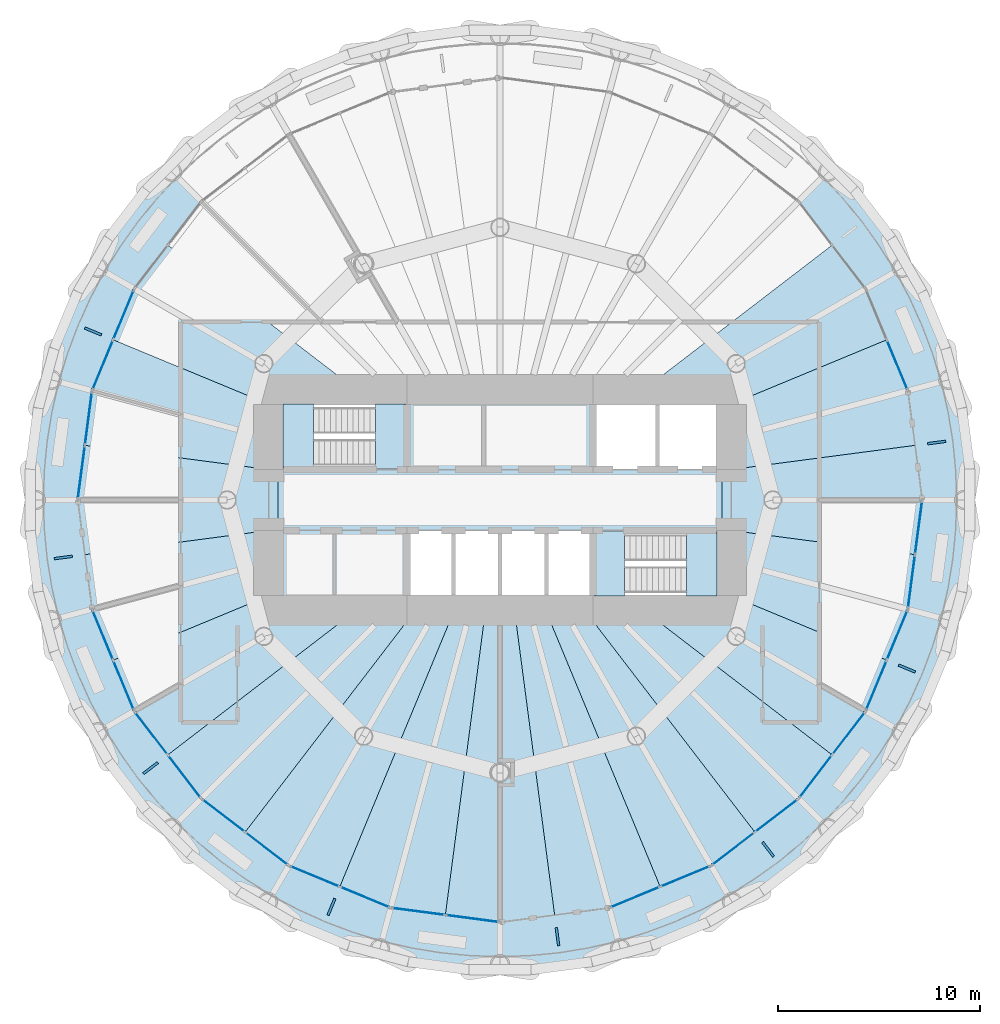
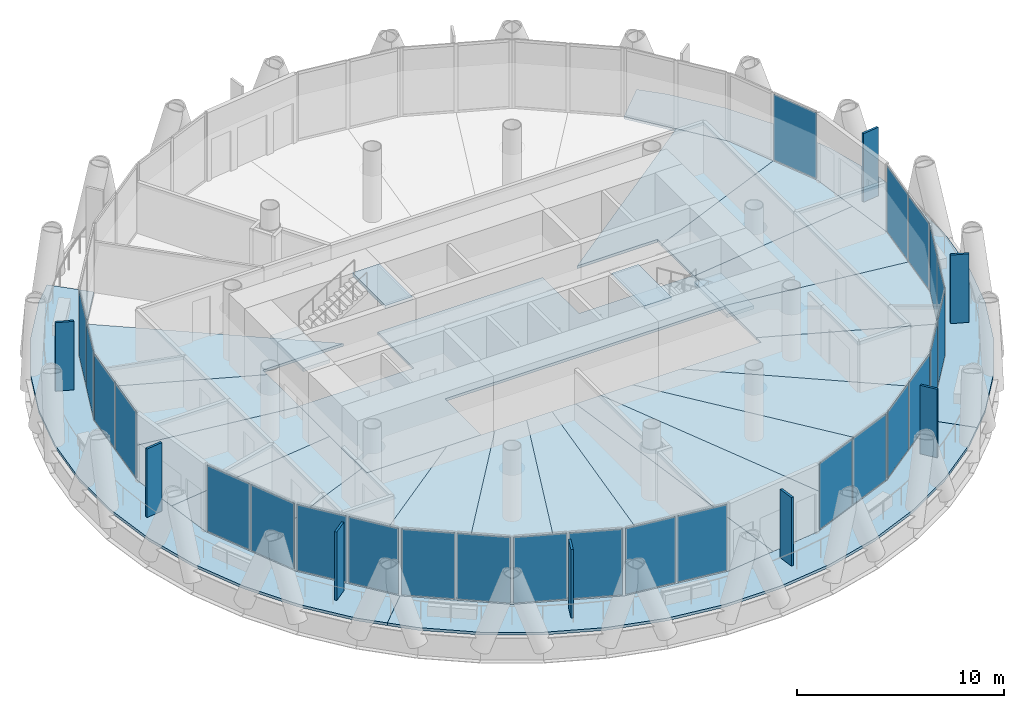
# One storey, part 8 of 14: 33 plates, 25 slabs, 15 elements without a shape of their own.
"""IFC4 building model written with IfcOpenShell, lengths in metres."""

from ifc_helpers import new_model, si_unit, direction, frame, origin, origin_2d, place, context, subcontext, project, spatial, polyline, rectangle, outline, extrude, material, layer, layer_set, type_object, element, aggregate, save


model = new_model("IFC4")

# Units and contexts
model_context = context("Model", 3, precision=1e-05, world=origin(), true_north=direction((0.0, 1.0)))
body_context = subcontext(model_context, "Body", "Model", "MODEL_VIEW")
ifc_project = project(units=[si_unit("LENGTHUNIT", "METRE"), si_unit("AREAUNIT", "SQUARE_METRE"), si_unit("VOLUMEUNIT", "CUBIC_METRE"), si_unit("PLANEANGLEUNIT", "RADIAN"), si_unit("MASSUNIT", "GRAM", prefix="KILO")], contexts=[model_context])

# Site, building, storey
site_placement = place(None, origin())
site = spatial("IfcSite", under=ifc_project, at=site_placement, CompositionType="ELEMENT")
building_placement = place(site_placement, origin())
building = spatial("IfcBuilding", under=site, at=building_placement, Name="Qaws Media Tower", CompositionType="ELEMENT")
storey_placement = place(building_placement, frame((0.0, 0.0, 206.60009765625)))
storey = spatial("IfcBuildingStorey", under=building, at=storey_placement, Name="L47", CompositionType="ELEMENT", Elevation=206.60009765625)

# Slabs
ifc_material_1 = material(Name="Concrete C35/45", Category="concrete")
ifc_layer_1 = layer(ifc_material_1, 0.159912109375)
ifc_layer_set_1 = layer_set([ifc_layer_1], Name="Composite balcony slab 160")
slab_type_1 = type_object("IfcSlabType", Name="Composite balcony slab 160", PredefinedType="FLOOR", material=ifc_layer_set_1)
slab_1_placement = place(storey_placement, frame((0.0, 0.0, -0.16015625)))
element("IfcSlab", 1, at=slab_1_placement, inside=storey, type_object=slab_type_1, Name="S2 balcony slab L47 R10 to R16, movement joints on R10 and R16", PredefinedType="FLOOR", context=body_context, shape_type="SweptSolid", body=[
    extrude(outline(polyline([(42.482177734375, 34.63720703125), (40.626708984375, 37.05517578125), (39.102783203125, 39.694580078125), (37.9365234375, 42.510498046875), (37.147705078125, 45.454345703125), (36.75, 48.47607421875), (36.75, 51.52392578125), (37.147705078125, 54.545654296875), (37.9365234375, 57.489501953125), (39.102783203125, 60.305419921875), (40.626708984375, 62.94482421875), (42.482177734375, 65.36279296875), (43.559814453125, 66.440185546875), (45.221435546875, 64.778564453125), (41.900146484375, 60.449951171875), (39.812255859375, 55.4091796875), (39.10009765625, 50.0), (39.812255859375, 44.5908203125), (41.900146484375, 39.550048828125), (45.221435546875, 35.221435546875), (43.559814453125, 33.559814453125), (42.482177734375, 34.63720703125)])), origin(), (0.0, 0.0, 1.0), 0.16015625),
])
slab_2_placement = place(storey_placement, frame((0.0, 0.0, -0.16015625)))
element("IfcSlab", 2, at=slab_2_placement, inside=storey, type_object=slab_type_1, Name="S2 balcony slab L47 R16 to R22, movement joints on R16 and R22", PredefinedType="FLOOR", context=body_context, shape_type="SweptSolid", body=[
    extrude(outline(polyline([(75.36279296875, 32.482177734375), (72.94482421875, 30.626708984375), (70.305419921875, 29.102783203125), (67.489501953125, 27.9365234375), (64.545654296875, 27.147705078125), (61.52392578125, 26.75), (58.47607421875, 26.75), (55.454345703125, 27.147705078125), (52.510498046875, 27.9365234375), (49.694580078125, 29.102783203125), (47.05517578125, 30.626708984375), (44.63720703125, 32.482177734375), (43.559814453125, 33.559814453125), (45.221435546875, 35.221435546875), (49.550048828125, 31.900146484375), (54.5908203125, 29.81201171875), (60.0, 29.10009765625), (65.4091796875, 29.81201171875), (70.449951171875, 31.900146484375), (74.778564453125, 35.221435546875), (76.440185546875, 33.559814453125), (75.36279296875, 32.482177734375)])), origin(), (0.0, 0.0, 1.0), 0.16015625),
])
slab_3_placement = place(storey_placement, frame((0.0, 0.0, -0.16015625)))
element("IfcSlab", 3, at=slab_3_placement, inside=storey, type_object=slab_type_1, Name="S2 balcony slab L47 R22 to R04, movement joints on R22 and R04", PredefinedType="FLOOR", context=body_context, shape_type="SweptSolid", body=[
    extrude(outline(polyline([(82.852294921875, 45.454345703125), (82.0634765625, 42.510498046875), (80.897216796875, 39.694580078125), (79.373291015625, 37.05517578125), (77.517822265625, 34.63720703125), (76.440185546875, 33.559814453125), (74.778564453125, 35.221435546875), (78.099853515625, 39.550048828125), (80.187744140625, 44.5908203125), (80.89990234375, 50.0), (80.187744140625, 55.4091796875), (78.099853515625, 60.449951171875), (74.778564453125, 64.778564453125), (76.440185546875, 66.440185546875), (77.517822265625, 65.36279296875), (79.373291015625, 62.94482421875), (80.897216796875, 60.305419921875), (82.0634765625, 57.489501953125), (82.852294921875, 54.545654296875), (83.25, 51.52392578125), (83.25, 48.47607421875), (82.852294921875, 45.454345703125)])), origin(), (0.0, 0.0, 1.0), 0.16015625),
])
ifc_material_2 = material(Name="Concrete C35/45", Category="concrete")
ifc_layer_2 = layer(ifc_material_2, 0.159912109375)
ifc_layer_set_2 = layer_set([ifc_layer_2], Name="Composite floor slab 160")
slab_type_2 = type_object("IfcSlabType", Name="Composite floor slab 160", PredefinedType="FLOOR", material=ifc_layer_set_2)
slab_4_placement = place(storey_placement, frame((0.0, 0.0, -0.16015625)))
element("IfcSlab", 4, at=slab_4_placement, inside=storey, type_object=slab_type_2, Name="S1 core floor slab L47", PredefinedType="FLOOR", context=body_context, shape_type="SweptSolid", body=[
    extrude(outline(polyline([(71.0, 51.5), (71.0, 48.5), (55.39990234375, 48.5), (55.39990234375, 45.0), (49.0, 45.0), (49.0, 51.5), (55.39990234375, 51.5), (55.39990234375, 55.0), (64.60009765625, 55.0), (64.60009765625, 51.5), (71.0, 51.5)])), origin(), (0.0, 0.0, 1.0), 0.16015625),
])
slab_5_placement = place(storey_placement, frame((0.0, 0.0, -0.16015625)))
element("IfcSlab", 5, at=slab_5_placement, inside=storey, type_object=slab_type_2, Name="S1 floor panel L47 on R01", PredefinedType="FLOOR", context=body_context, shape_type="SweptSolid", body=[
    extrude(outline(polyline([(80.89990234375, 50.0), (80.5439453125, 47.29541015625), (71.0, 48.5517578125), (71.0, 51.4482421875), (80.5439453125, 52.70458984375), (80.89990234375, 50.0)])), origin(), (0.0, 0.0, 1.0), 0.16015625),
])
slab_6_placement = place(storey_placement, frame((0.0, 0.0, -0.16015625)))
element("IfcSlab", 6, at=slab_6_placement, inside=storey, type_object=slab_type_2, Name="S1 floor panel L47 on R02", PredefinedType="FLOOR", context=body_context, shape_type="SweptSolid", body=[
    extrude(outline(polyline([(80.187744140625, 55.4091796875), (80.5439453125, 52.70458984375), (71.0, 51.4482421875), (71.0, 54.556396484375), (79.143798828125, 57.9296875), (80.187744140625, 55.4091796875)])), origin(), (0.0, 0.0, 1.0), 0.16015625),
])
slab_7_placement = place(storey_placement, frame((0.0, 0.0, -0.16015625)))
element("IfcSlab", 7, at=slab_7_placement, inside=storey, type_object=slab_type_2, Name="S1 floor panel L47 on R03", PredefinedType="FLOOR", context=body_context, shape_type="SweptSolid", body=[
    extrude(outline(polyline([(78.099853515625, 60.449951171875), (79.143798828125, 57.9296875), (71.0, 54.556396484375), (71.0, 55.0), (66.51611328125, 55.0), (76.439208984375, 62.6142578125), (78.099853515625, 60.449951171875)])), origin(), (0.0, 0.0, 1.0), 0.16015625),
])
slab_8_placement = place(storey_placement, frame((0.0, 0.0, -0.16015625)))
element("IfcSlab", 8, at=slab_8_placement, inside=storey, type_object=slab_type_2, Name="S1 floor panel L47 on R11", PredefinedType="FLOOR", context=body_context, shape_type="SweptSolid", body=[
    extrude(outline(polyline([(41.900146484375, 60.449951171875), (43.560791015625, 62.6142578125), (53.48388671875, 55.0), (49.0, 55.0), (49.0, 54.556396484375), (40.856201171875, 57.9296875), (41.900146484375, 60.449951171875)])), origin(), (0.0, 0.0, 1.0), 0.16015625),
])
slab_9_placement = place(storey_placement, frame((0.0, 0.0, -0.16015625)))
element("IfcSlab", 9, at=slab_9_placement, inside=storey, type_object=slab_type_2, Name="S1 floor panel L47 on R12", PredefinedType="FLOOR", context=body_context, shape_type="SweptSolid", body=[
    extrude(outline(polyline([(39.812255859375, 55.4091796875), (40.856201171875, 57.9296875), (49.0, 54.556396484375), (49.0, 51.4482421875), (39.4560546875, 52.70458984375), (39.812255859375, 55.4091796875)])), origin(), (0.0, 0.0, 1.0), 0.16015625),
])
slab_10_placement = place(storey_placement, frame((0.0, 0.0, -0.16015625)))
element("IfcSlab", 10, at=slab_10_placement, inside=storey, type_object=slab_type_2, Name="S1 floor panel L47 on R13", PredefinedType="FLOOR", context=body_context, shape_type="SweptSolid", body=[
    extrude(outline(polyline([(39.10009765625, 50.0), (39.4560546875, 52.70458984375), (49.0, 51.4482421875), (49.0, 48.5517578125), (39.4560546875, 47.29541015625), (39.10009765625, 50.0)])), origin(), (0.0, 0.0, 1.0), 0.16015625),
])
slab_11_placement = place(storey_placement, frame((0.0, 0.0, -0.16015625)))
element("IfcSlab", 11, at=slab_11_placement, inside=storey, type_object=slab_type_2, Name="S1 floor panel L47 on R14", PredefinedType="FLOOR", context=body_context, shape_type="SweptSolid", body=[
    extrude(outline(polyline([(39.812255859375, 44.5908203125), (39.4560546875, 47.29541015625), (49.0, 48.5517578125), (49.0, 45.443603515625), (40.856201171875, 42.0703125), (39.812255859375, 44.5908203125)])), origin(), (0.0, 0.0, 1.0), 0.16015625),
])
slab_12_placement = place(storey_placement, frame((0.0, 0.0, -0.16015625)))
element("IfcSlab", 12, at=slab_12_placement, inside=storey, type_object=slab_type_2, Name="S1 floor panel L47 on R15", PredefinedType="FLOOR", context=body_context, shape_type="SweptSolid", body=[
    extrude(outline(polyline([(41.900146484375, 39.550048828125), (40.856201171875, 42.0703125), (49.0, 45.443603515625), (49.0, 45.0), (53.48388671875, 45.0), (43.560791015625, 37.3857421875), (41.900146484375, 39.550048828125)])), origin(), (0.0, 0.0, 1.0), 0.16015625),
])
slab_13_placement = place(storey_placement, frame((0.0, 0.0, -0.16015625)))
element("IfcSlab", 13, at=slab_13_placement, inside=storey, type_object=slab_type_2, Name="S1 floor panel L47 on R16", PredefinedType="FLOOR", context=body_context, shape_type="SweptSolid", body=[
    extrude(outline(polyline([(45.221435546875, 35.221435546875), (43.560791015625, 37.3857421875), (53.48388671875, 45.0), (56.163330078125, 45.0), (47.3857421875, 33.560791015625), (45.221435546875, 35.221435546875)])), origin(), (0.0, 0.0, 1.0), 0.16015625),
])
slab_14_placement = place(storey_placement, frame((0.0, 0.0, -0.16015625)))
element("IfcSlab", 14, at=slab_14_placement, inside=storey, type_object=slab_type_2, Name="S1 floor panel L47 on R17", PredefinedType="FLOOR", context=body_context, shape_type="SweptSolid", body=[
    extrude(outline(polyline([(49.550048828125, 31.900146484375), (47.3857421875, 33.560791015625), (56.163330078125, 45.0), (57.928955078125, 45.0), (52.0703125, 30.856201171875), (49.550048828125, 31.900146484375)])), origin(), (0.0, 0.0, 1.0), 0.16015625),
])
slab_15_placement = place(storey_placement, frame((0.0, 0.0, -0.16015625)))
element("IfcSlab", 15, at=slab_15_placement, inside=storey, type_object=slab_type_2, Name="S1 floor panel L47 on R18", PredefinedType="FLOOR", context=body_context, shape_type="SweptSolid", body=[
    extrude(outline(polyline([(54.5908203125, 29.81201171875), (52.0703125, 30.856201171875), (57.928955078125, 45.0), (59.341796875, 45.0), (57.29541015625, 29.4560546875), (54.5908203125, 29.81201171875)])), origin(), (0.0, 0.0, 1.0), 0.16015625),
])
slab_16_placement = place(storey_placement, frame((0.0, 0.0, -0.16015625)))
element("IfcSlab", 16, at=slab_16_placement, inside=storey, type_object=slab_type_2, Name="S1 floor panel L47 on R19", PredefinedType="FLOOR", context=body_context, shape_type="SweptSolid", body=[
    extrude(outline(polyline([(60.0, 29.10009765625), (57.29541015625, 29.4560546875), (59.341796875, 45.0), (60.658203125, 45.0), (62.70458984375, 29.4560546875), (60.0, 29.10009765625)])), origin(), (0.0, 0.0, 1.0), 0.16015625),
])
slab_17_placement = place(storey_placement, frame((0.0, 0.0, -0.16015625)))
element("IfcSlab", 17, at=slab_17_placement, inside=storey, type_object=slab_type_2, Name="S1 floor panel L47 on R20", PredefinedType="FLOOR", context=body_context, shape_type="SweptSolid", body=[
    extrude(outline(polyline([(65.4091796875, 29.81201171875), (62.70458984375, 29.4560546875), (60.658203125, 45.0), (62.071044921875, 45.0), (67.9296875, 30.856201171875), (65.4091796875, 29.81201171875)])), origin(), (0.0, 0.0, 1.0), 0.16015625),
])
slab_18_placement = place(storey_placement, frame((0.0, 0.0, -0.16015625)))
element("IfcSlab", 18, at=slab_18_placement, inside=storey, type_object=slab_type_2, Name="S1 floor panel L47 on R21", PredefinedType="FLOOR", context=body_context, shape_type="SweptSolid", body=[
    extrude(outline(polyline([(70.449951171875, 31.900146484375), (67.9296875, 30.856201171875), (62.071044921875, 45.0), (63.836669921875, 45.0), (72.6142578125, 33.560791015625), (70.449951171875, 31.900146484375)])), origin(), (0.0, 0.0, 1.0), 0.16015625),
])
slab_19_placement = place(storey_placement, frame((0.0, 0.0, -0.16015625)))
element("IfcSlab", 19, at=slab_19_placement, inside=storey, type_object=slab_type_2, Name="S1 floor panel L47 on R22", PredefinedType="FLOOR", context=body_context, shape_type="SweptSolid", body=[
    extrude(outline(polyline([(74.778564453125, 35.221435546875), (72.6142578125, 33.560791015625), (63.836669921875, 45.0), (66.51611328125, 45.0), (76.439208984375, 37.3857421875), (74.778564453125, 35.221435546875)])), origin(), (0.0, 0.0, 1.0), 0.16015625),
])
slab_20_placement = place(storey_placement, frame((0.0, 0.0, -0.16015625)))
element("IfcSlab", 20, at=slab_20_placement, inside=storey, type_object=slab_type_2, Name="S1 floor panel L47 on R23", PredefinedType="FLOOR", context=body_context, shape_type="SweptSolid", body=[
    extrude(outline(polyline([(78.099853515625, 39.550048828125), (76.439208984375, 37.3857421875), (66.51611328125, 45.0), (71.0, 45.0), (71.0, 45.443603515625), (79.143798828125, 42.0703125), (78.099853515625, 39.550048828125)])), origin(), (0.0, 0.0, 1.0), 0.16015625),
])
slab_21_placement = place(storey_placement, frame((0.0, 0.0, -0.16015625)))
element("IfcSlab", 21, at=slab_21_placement, inside=storey, type_object=slab_type_2, Name="S1 floor panel L47 on R24", PredefinedType="FLOOR", context=body_context, shape_type="SweptSolid", body=[
    extrude(outline(polyline([(79.143798828125, 42.0703125), (71.0, 45.443603515625), (71.0, 48.5517578125), (80.5439453125, 47.29541015625), (80.187744140625, 44.5908203125), (79.143798828125, 42.0703125)])), origin(), (0.0, 0.0, 1.0), 0.16015625),
])

# Curtain wall, plate
ifc_material_3 = material(Name="Aluminium and clear glass", Category="aluminium")
curtain_wall_type = type_object("IfcCurtainWallType", Name="Unitised curtain wall CW-C", PredefinedType="NOTDEFINED", material=ifc_material_3)
curtain_wall_1_placement = place(storey_placement, origin())
curtain_wall_1 = element("IfcCurtainWall", 22, at=curtain_wall_1_placement, inside=storey, type_object=curtain_wall_type, Name="CWC curtain wall L47-02", PredefinedType="NOTDEFINED")
ifc_material_4 = material(Name="Clear laminated double glazing", Category="glass")
ifc_layer_3 = layer(ifc_material_4, 0.031982421875)
ifc_layer_set_3 = layer_set([ifc_layer_3], Name="Curtain wall glass unit 32")
plate_type_1 = type_object("IfcPlateType", Name="Curtain wall glass unit 32", PredefinedType="CURTAIN_PANEL", material=ifc_layer_set_3)
plate_1_placement = place(storey_placement, frame((79.658203125, 56.68798828125, 0.080078125), z_axis=(0.0, 0.0, 1.0), x_axis=(-0.382683456149, 0.92387952266, 0.0)))
plate_1 = element("IfcPlate", 23, at=plate_1_placement, type_object=plate_type_1, Name="CWC panel 1.1", PredefinedType="CURTAIN_PANEL", context=body_context, shape_type="SweptSolid", body=[
    extrude(rectangle(XDim=2.60791015625, YDim=0.031982421875, at=origin_2d()), origin(), (0.0, 0.0, 1.0), 3.8798828125),
])
aggregate(curtain_wall_1, [plate_1])

# Curtain wall, plates
curtain_wall_2_placement = place(storey_placement, origin())
curtain_wall_2 = element("IfcCurtainWall", 24, at=curtain_wall_2_placement, inside=storey, type_object=curtain_wall_type, Name="CWC curtain wall L47-11", PredefinedType="NOTDEFINED")
plate_2_placement = place(storey_placement, frame((41.370361328125, 59.17138671875, 0.080078125), z_axis=(0.0, 0.0, 1.0), x_axis=(-0.382683456149, -0.92387952266, 0.0)))
plate_2 = element("IfcPlate", 25, at=plate_2_placement, type_object=plate_type_1, Name="CWC panel 1.1", PredefinedType="CURTAIN_PANEL", context=body_context, shape_type="SweptSolid", body=[
    extrude(rectangle(XDim=2.60791015625, YDim=0.031982421875, at=origin_2d()), origin(), (0.0, 0.0, 1.0), 3.8798828125),
])
plate_3_placement = place(storey_placement, frame((40.341796875, 56.68798828125, 0.080078125), z_axis=(0.0, 0.0, 1.0), x_axis=(-0.382683456149, -0.92387952266, 0.0)))
plate_3 = element("IfcPlate", 26, at=plate_3_placement, type_object=plate_type_1, Name="CWC panel 2.1", PredefinedType="CURTAIN_PANEL", context=body_context, shape_type="SweptSolid", body=[
    extrude(rectangle(XDim=2.60791015625, YDim=0.031982421875, at=origin_2d()), origin(), (0.0, 0.0, 1.0), 3.8798828125),
])
aggregate(curtain_wall_2, [plate_2, plate_3])

curtain_wall_3_placement = place(storey_placement, origin())
curtain_wall_3 = element("IfcCurtainWall", 27, at=curtain_wall_3_placement, inside=storey, type_object=curtain_wall_type, Name="CWC curtain wall L47-12", PredefinedType="NOTDEFINED")
plate_4_placement = place(storey_placement, frame((39.631591796875, 54.037109375, 0.080078125), z_axis=(0.0, 0.0, 1.0), x_axis=(-0.130526151694, -0.991444866709, 0.0)))
plate_4 = element("IfcPlate", 28, at=plate_4_placement, type_object=plate_type_1, Name="CWC panel 1.1", PredefinedType="CURTAIN_PANEL", context=body_context, shape_type="SweptSolid", body=[
    extrude(rectangle(XDim=2.60791015625, YDim=0.031982421875, at=origin_2d()), origin(), (0.0, 0.0, 1.0), 3.8798828125),
])
plate_5_placement = place(storey_placement, frame((39.28076171875, 51.3720703125, 0.080078125), z_axis=(0.0, 0.0, 1.0), x_axis=(-0.130526151694, -0.991444866709, 0.0)))
plate_5 = element("IfcPlate", 29, at=plate_5_placement, type_object=plate_type_1, Name="CWC panel 2.1", PredefinedType="CURTAIN_PANEL", context=body_context, shape_type="SweptSolid", body=[
    extrude(rectangle(XDim=2.60791015625, YDim=0.031982421875, at=origin_2d()), origin(), (0.0, 0.0, 1.0), 3.8798828125),
])
aggregate(curtain_wall_3, [plate_4, plate_5])

curtain_wall_4_placement = place(storey_placement, origin())
curtain_wall_4 = element("IfcCurtainWall", 30, at=curtain_wall_4_placement, inside=storey, type_object=curtain_wall_type, Name="CWC curtain wall L47-14", PredefinedType="NOTDEFINED")
plate_6_placement = place(storey_placement, frame((40.341796875, 43.31201171875, 0.080078125), z_axis=(0.0, 0.0, 1.0), x_axis=(0.382683456149, -0.92387952266, 0.0)))
plate_6 = element("IfcPlate", 31, at=plate_6_placement, type_object=plate_type_1, Name="CWC panel 1.1", PredefinedType="CURTAIN_PANEL", context=body_context, shape_type="SweptSolid", body=[
    extrude(rectangle(XDim=2.60791015625, YDim=0.031982421875, at=origin_2d()), origin(), (0.0, 0.0, 1.0), 3.8798828125),
])
plate_7_placement = place(storey_placement, frame((41.370361328125, 40.82861328125, 0.080078125), z_axis=(0.0, 0.0, 1.0), x_axis=(0.382683456149, -0.92387952266, 0.0)))
plate_7 = element("IfcPlate", 32, at=plate_7_placement, type_object=plate_type_1, Name="CWC panel 2.1", PredefinedType="CURTAIN_PANEL", context=body_context, shape_type="SweptSolid", body=[
    extrude(rectangle(XDim=2.60791015625, YDim=0.031982421875, at=origin_2d()), origin(), (0.0, 0.0, 1.0), 3.8798828125),
])
aggregate(curtain_wall_4, [plate_6, plate_7])

curtain_wall_5_placement = place(storey_placement, origin())
curtain_wall_5 = element("IfcCurtainWall", 33, at=curtain_wall_5_placement, inside=storey, type_object=curtain_wall_type, Name="CWC curtain wall L47-15", PredefinedType="NOTDEFINED")
plate_8_placement = place(storey_placement, frame((42.74267578125, 38.451904296875, 0.080078125), z_axis=(0.0, 0.0, 1.0), x_axis=(0.608761380338, -0.793353377638, 0.0)))
plate_8 = element("IfcPlate", 34, at=plate_8_placement, type_object=plate_type_1, Name="CWC panel 1.1", PredefinedType="CURTAIN_PANEL", context=body_context, shape_type="SweptSolid", body=[
    extrude(rectangle(XDim=2.60791015625, YDim=0.031982421875, at=origin_2d()), origin(), (0.0, 0.0, 1.0), 3.8798828125),
])
plate_9_placement = place(storey_placement, frame((44.37890625, 36.319580078125, 0.080078125), z_axis=(0.0, 0.0, 1.0), x_axis=(0.608761380338, -0.793353377638, 0.0)))
plate_9 = element("IfcPlate", 35, at=plate_9_placement, type_object=plate_type_1, Name="CWC panel 2.1", PredefinedType="CURTAIN_PANEL", context=body_context, shape_type="SweptSolid", body=[
    extrude(rectangle(XDim=2.60791015625, YDim=0.031982421875, at=origin_2d()), origin(), (0.0, 0.0, 1.0), 3.8798828125),
])
aggregate(curtain_wall_5, [plate_8, plate_9])

curtain_wall_6_placement = place(storey_placement, origin())
curtain_wall_6 = element("IfcCurtainWall", 36, at=curtain_wall_6_placement, inside=storey, type_object=curtain_wall_type, Name="CWC curtain wall L47-16", PredefinedType="NOTDEFINED")
plate_10_placement = place(storey_placement, frame((46.319580078125, 34.37890625, 0.080078125), z_axis=(0.0, 0.0, 1.0), x_axis=(0.793353377638, -0.608761380338, 0.0)))
plate_10 = element("IfcPlate", 37, at=plate_10_placement, type_object=plate_type_1, Name="CWC panel 1.1", PredefinedType="CURTAIN_PANEL", context=body_context, shape_type="SweptSolid", body=[
    extrude(rectangle(XDim=2.60791015625, YDim=0.031982421875, at=origin_2d()), origin(), (0.0, 0.0, 1.0), 3.8798828125),
])
plate_11_placement = place(storey_placement, frame((48.451904296875, 32.74267578125, 0.080078125), z_axis=(0.0, 0.0, 1.0), x_axis=(0.793353377638, -0.608761380338, 0.0)))
plate_11 = element("IfcPlate", 38, at=plate_11_placement, type_object=plate_type_1, Name="CWC panel 2.1", PredefinedType="CURTAIN_PANEL", context=body_context, shape_type="SweptSolid", body=[
    extrude(rectangle(XDim=2.60791015625, YDim=0.031982421875, at=origin_2d()), origin(), (0.0, 0.0, 1.0), 3.8798828125),
])
aggregate(curtain_wall_6, [plate_10, plate_11])

curtain_wall_7_placement = place(storey_placement, origin())
curtain_wall_7 = element("IfcCurtainWall", 39, at=curtain_wall_7_placement, inside=storey, type_object=curtain_wall_type, Name="CWC curtain wall L47-17", PredefinedType="NOTDEFINED")
plate_12_placement = place(storey_placement, frame((50.82861328125, 31.370361328125, 0.080078125), z_axis=(0.0, 0.0, 1.0), x_axis=(0.92387952266, -0.382683456149, 0.0)))
plate_12 = element("IfcPlate", 40, at=plate_12_placement, type_object=plate_type_1, Name="CWC panel 1.1", PredefinedType="CURTAIN_PANEL", context=body_context, shape_type="SweptSolid", body=[
    extrude(rectangle(XDim=2.60791015625, YDim=0.031982421875, at=origin_2d()), origin(), (0.0, 0.0, 1.0), 3.8798828125),
])
plate_13_placement = place(storey_placement, frame((53.31201171875, 30.341796875, 0.080078125), z_axis=(0.0, 0.0, 1.0), x_axis=(0.92387952266, -0.382683456149, 0.0)))
plate_13 = element("IfcPlate", 41, at=plate_13_placement, type_object=plate_type_1, Name="CWC panel 2.1", PredefinedType="CURTAIN_PANEL", context=body_context, shape_type="SweptSolid", body=[
    extrude(rectangle(XDim=2.60791015625, YDim=0.031982421875, at=origin_2d()), origin(), (0.0, 0.0, 1.0), 3.8798828125),
])
aggregate(curtain_wall_7, [plate_12, plate_13])

curtain_wall_8_placement = place(storey_placement, origin())
curtain_wall_8 = element("IfcCurtainWall", 42, at=curtain_wall_8_placement, inside=storey, type_object=curtain_wall_type, Name="CWC curtain wall L47-18", PredefinedType="NOTDEFINED")
plate_14_placement = place(storey_placement, frame((55.962890625, 29.631591796875, 0.080078125), z_axis=(0.0, 0.0, 1.0), x_axis=(0.991444866709, -0.130526151694, 0.0)))
plate_14 = element("IfcPlate", 43, at=plate_14_placement, type_object=plate_type_1, Name="CWC panel 1.1", PredefinedType="CURTAIN_PANEL", context=body_context, shape_type="SweptSolid", body=[
    extrude(rectangle(XDim=2.60791015625, YDim=0.031982421875, at=origin_2d()), origin(), (0.0, 0.0, 1.0), 3.8798828125),
])
plate_15_placement = place(storey_placement, frame((58.6279296875, 29.28076171875, 0.080078125), z_axis=(0.0, 0.0, 1.0), x_axis=(0.991444866709, -0.130526151694, 0.0)))
plate_15 = element("IfcPlate", 44, at=plate_15_placement, type_object=plate_type_1, Name="CWC panel 2.1", PredefinedType="CURTAIN_PANEL", context=body_context, shape_type="SweptSolid", body=[
    extrude(rectangle(XDim=2.60791015625, YDim=0.031982421875, at=origin_2d()), origin(), (0.0, 0.0, 1.0), 3.8798828125),
])
aggregate(curtain_wall_8, [plate_14, plate_15])

curtain_wall_9_placement = place(storey_placement, origin())
curtain_wall_9 = element("IfcCurtainWall", 45, at=curtain_wall_9_placement, inside=storey, type_object=curtain_wall_type, Name="CWC curtain wall L47-20", PredefinedType="NOTDEFINED")
plate_16_placement = place(storey_placement, frame((66.68798828125, 30.341796875, 0.080078125), z_axis=(0.0, 0.0, 1.0), x_axis=(0.92387952266, 0.382683456149, 0.0)))
plate_16 = element("IfcPlate", 46, at=plate_16_placement, type_object=plate_type_1, Name="CWC panel 1.1", PredefinedType="CURTAIN_PANEL", context=body_context, shape_type="SweptSolid", body=[
    extrude(rectangle(XDim=2.60791015625, YDim=0.031982421875, at=origin_2d()), origin(), (0.0, 0.0, 1.0), 3.8798828125),
])
plate_17_placement = place(storey_placement, frame((69.17138671875, 31.370361328125, 0.080078125), z_axis=(0.0, 0.0, 1.0), x_axis=(0.92387952266, 0.382683456149, 0.0)))
plate_17 = element("IfcPlate", 47, at=plate_17_placement, type_object=plate_type_1, Name="CWC panel 2.1", PredefinedType="CURTAIN_PANEL", context=body_context, shape_type="SweptSolid", body=[
    extrude(rectangle(XDim=2.60791015625, YDim=0.031982421875, at=origin_2d()), origin(), (0.0, 0.0, 1.0), 3.8798828125),
])
aggregate(curtain_wall_9, [plate_16, plate_17])

curtain_wall_10_placement = place(storey_placement, origin())
curtain_wall_10 = element("IfcCurtainWall", 48, at=curtain_wall_10_placement, inside=storey, type_object=curtain_wall_type, Name="CWC curtain wall L47-21", PredefinedType="NOTDEFINED")
plate_18_placement = place(storey_placement, frame((71.548095703125, 32.74267578125, 0.080078125), z_axis=(0.0, 0.0, 1.0), x_axis=(0.793353377638, 0.608761380338, 0.0)))
plate_18 = element("IfcPlate", 49, at=plate_18_placement, type_object=plate_type_1, Name="CWC panel 1.1", PredefinedType="CURTAIN_PANEL", context=body_context, shape_type="SweptSolid", body=[
    extrude(rectangle(XDim=2.60791015625, YDim=0.031982421875, at=origin_2d()), origin(), (0.0, 0.0, 1.0), 3.8798828125),
])
plate_19_placement = place(storey_placement, frame((73.680419921875, 34.37890625, 0.080078125), z_axis=(0.0, 0.0, 1.0), x_axis=(0.793353377638, 0.608761380338, 0.0)))
plate_19 = element("IfcPlate", 50, at=plate_19_placement, type_object=plate_type_1, Name="CWC panel 2.1", PredefinedType="CURTAIN_PANEL", context=body_context, shape_type="SweptSolid", body=[
    extrude(rectangle(XDim=2.60791015625, YDim=0.031982421875, at=origin_2d()), origin(), (0.0, 0.0, 1.0), 3.8798828125),
])
aggregate(curtain_wall_10, [plate_18, plate_19])

curtain_wall_11_placement = place(storey_placement, origin())
curtain_wall_11 = element("IfcCurtainWall", 51, at=curtain_wall_11_placement, inside=storey, type_object=curtain_wall_type, Name="CWC curtain wall L47-22", PredefinedType="NOTDEFINED")
plate_20_placement = place(storey_placement, frame((75.62109375, 36.319580078125, 0.080078125), z_axis=(0.0, 0.0, 1.0), x_axis=(0.608761380338, 0.793353377638, 0.0)))
plate_20 = element("IfcPlate", 52, at=plate_20_placement, type_object=plate_type_1, Name="CWC panel 1.1", PredefinedType="CURTAIN_PANEL", context=body_context, shape_type="SweptSolid", body=[
    extrude(rectangle(XDim=2.60791015625, YDim=0.031982421875, at=origin_2d()), origin(), (0.0, 0.0, 1.0), 3.8798828125),
])
plate_21_placement = place(storey_placement, frame((77.25732421875, 38.451904296875, 0.080078125), z_axis=(0.0, 0.0, 1.0), x_axis=(0.608761380338, 0.793353377638, 0.0)))
plate_21 = element("IfcPlate", 53, at=plate_21_placement, type_object=plate_type_1, Name="CWC panel 2.1", PredefinedType="CURTAIN_PANEL", context=body_context, shape_type="SweptSolid", body=[
    extrude(rectangle(XDim=2.60791015625, YDim=0.031982421875, at=origin_2d()), origin(), (0.0, 0.0, 1.0), 3.8798828125),
])
aggregate(curtain_wall_11, [plate_20, plate_21])

curtain_wall_12_placement = place(storey_placement, origin())
curtain_wall_12 = element("IfcCurtainWall", 54, at=curtain_wall_12_placement, inside=storey, type_object=curtain_wall_type, Name="CWC curtain wall L47-23", PredefinedType="NOTDEFINED")
plate_22_placement = place(storey_placement, frame((78.629638671875, 40.82861328125, 0.080078125), z_axis=(0.0, 0.0, 1.0), x_axis=(0.382683456149, 0.92387952266, 0.0)))
plate_22 = element("IfcPlate", 55, at=plate_22_placement, type_object=plate_type_1, Name="CWC panel 1.1", PredefinedType="CURTAIN_PANEL", context=body_context, shape_type="SweptSolid", body=[
    extrude(rectangle(XDim=2.60791015625, YDim=0.031982421875, at=origin_2d()), origin(), (0.0, 0.0, 1.0), 3.8798828125),
])
plate_23_placement = place(storey_placement, frame((79.658203125, 43.31201171875, 0.080078125), z_axis=(0.0, 0.0, 1.0), x_axis=(0.382683456149, 0.92387952266, 0.0)))
plate_23 = element("IfcPlate", 56, at=plate_23_placement, type_object=plate_type_1, Name="CWC panel 2.1", PredefinedType="CURTAIN_PANEL", context=body_context, shape_type="SweptSolid", body=[
    extrude(rectangle(XDim=2.60791015625, YDim=0.031982421875, at=origin_2d()), origin(), (0.0, 0.0, 1.0), 3.8798828125),
])
aggregate(curtain_wall_12, [plate_22, plate_23])

curtain_wall_13_placement = place(storey_placement, origin())
curtain_wall_13 = element("IfcCurtainWall", 57, at=curtain_wall_13_placement, inside=storey, type_object=curtain_wall_type, Name="CWC curtain wall L47-24", PredefinedType="NOTDEFINED")
plate_24_placement = place(storey_placement, frame((80.368408203125, 45.962890625, 0.080078125), z_axis=(0.0, 0.0, 1.0), x_axis=(0.130526151694, 0.991444866709, 0.0)))
plate_24 = element("IfcPlate", 58, at=plate_24_placement, type_object=plate_type_1, Name="CWC panel 1.1", PredefinedType="CURTAIN_PANEL", context=body_context, shape_type="SweptSolid", body=[
    extrude(rectangle(XDim=2.60791015625, YDim=0.031982421875, at=origin_2d()), origin(), (0.0, 0.0, 1.0), 3.8798828125),
])
plate_25_placement = place(storey_placement, frame((80.71923828125, 48.6279296875, 0.080078125), z_axis=(0.0, 0.0, 1.0), x_axis=(0.130526151694, 0.991444866709, 0.0)))
plate_25 = element("IfcPlate", 59, at=plate_25_placement, type_object=plate_type_1, Name="CWC panel 2.1", PredefinedType="CURTAIN_PANEL", context=body_context, shape_type="SweptSolid", body=[
    extrude(rectangle(XDim=2.60791015625, YDim=0.031982421875, at=origin_2d()), origin(), (0.0, 0.0, 1.0), 3.8798828125),
])
aggregate(curtain_wall_13, [plate_24, plate_25])

# Plates
ifc_material_5 = material(Name="Precast concrete screen fin", Category="concrete")
ifc_layer_4 = layer(ifc_material_5, 0.1201171875)
ifc_layer_set_4 = layer_set([ifc_layer_4], Name="Screen fin 120x900")
plate_type_2 = type_object("IfcPlateType", Name="Screen fin 120x900", PredefinedType="USERDEFINED", material=ifc_layer_set_4)
for number, where, z_axis, x_axis, name in (
    (60, (81.613525390625, 52.845458984375, 0.0), (0.0, 0.0, 1.0), (0.991444861374, 0.13052619222, 0.0), "SCR1 screen fin L47-01"),
    (61, (39.859375, 58.342529296875, 0.0), (0.0, 0.0, 1.0), (-0.923879532511, 0.382683432365, 0.0), "SCR1 screen fin L47-06"),
    (62, (38.386474609375, 47.154541015625, 0.0), (0.0, 0.0, 1.0), (-0.991444861374, -0.13052619222, 0.0), "SCR1 screen fin L47-07"),
    (63, (42.704833984375, 36.72900390625, 0.0), (0.0, 0.0, 1.0), (-0.793353340291, -0.608761429009, 0.0), "SCR1 screen fin L47-08"),
    (64, (51.657470703125, 29.859375, 0.0), (0.0, 0.0, 1.0), (-0.382683432365, -0.923879532511, 0.0), "SCR1 screen fin L47-09"),
    (65, (62.845458984375, 28.386474609375, 0.0), (0.0, 0.0, 1.0), (0.13052619222, -0.991444861374, 0.0), "SCR1 screen fin L47-10"),
    (66, (73.27099609375, 32.704833984375, 0.0), (0.0, 0.0, 1.0), (0.608761429009, -0.793353340291, 0.0), "SCR1 screen fin L47-11"),
    (67, (80.140625, 41.657470703125, 0.0), (0.0, 0.0, 1.0), (0.923879532511, -0.382683432365, 0.0), "SCR1 screen fin L47-12"),
):
    element("IfcPlate", number, at=place(storey_placement, frame(where, z_axis=z_axis, x_axis=x_axis)), inside=storey, type_object=plate_type_2, Name=name, ObjectType="SCREEN", PredefinedType="USERDEFINED", context=body_context, shape_type="SweptSolid", body=[
        extrude(rectangle(XDim=0.89990234375, YDim=0.1201171875, at=origin_2d()), origin(), (0.0, 0.0, 1.0), 4.0400390625),
    ])

# Stair, slabs
ifc_material_6 = material(Name="Concrete C40/50", Category="concrete")
stair_type = type_object("IfcStairType", Name="Exit stair", PredefinedType="HALF_TURN_STAIR", material=ifc_material_6)
stair_1_placement = place(storey_placement, origin())
stair_1 = element("IfcStair", 68, at=stair_1_placement, inside=storey, type_object=stair_type, Name="S1 exit stair L47", PredefinedType="HALF_TURN_STAIR")
ifc_material_7 = material(Name="Concrete C40/50", Category="concrete")
ifc_layer_5 = layer(ifc_material_7, 0.199951171875)
ifc_layer_set_5 = layer_set([ifc_layer_5], Name="Stair landing 200")
slab_type_3 = type_object("IfcSlabType", Name="Stair landing 200", PredefinedType="LANDING", material=ifc_layer_set_5)
slab_22_placement = place(storey_placement, frame((0.0, 0.0, 1.89990234375)))
slab_22 = element("IfcSlab", 69, at=slab_22_placement, type_object=slab_type_3, Name="S1 landing 1", PredefinedType="LANDING", context=body_context, shape_type="SweptSolid", body=[
    extrude(outline(polyline([(49.25, 51.550048828125), (50.760009765625, 51.550048828125), (50.760009765625, 54.75), (49.25, 54.75), (49.25, 51.550048828125)])), origin(), (0.0, 0.0, 1.0), 0.199951171875),
])
slab_23_placement = place(storey_placement, frame((0.0, 0.0, 4.0)))
slab_23 = element("IfcSlab", 70, at=slab_23_placement, type_object=slab_type_3, Name="S1 landing 2", PredefinedType="LANDING", context=body_context, shape_type="SweptSolid", body=[
    extrude(outline(polyline([(53.840087890625, 51.550048828125), (55.35009765625, 51.550048828125), (55.35009765625, 54.75), (53.840087890625, 54.75), (53.840087890625, 51.550048828125)])), origin(), (0.0, 0.0, 1.0), 0.199951171875),
])
aggregate(stair_1, [slab_22, slab_23])

stair_2_placement = place(storey_placement, origin())
stair_2 = element("IfcStair", 71, at=stair_2_placement, inside=storey, type_object=stair_type, Name="S2 exit stair L47", PredefinedType="HALF_TURN_STAIR")
slab_24_placement = place(storey_placement, frame((0.0, 0.0, 1.89990234375)))
slab_24 = element("IfcSlab", 72, at=slab_24_placement, type_object=slab_type_3, Name="S2 landing 1", PredefinedType="LANDING", context=body_context, shape_type="SweptSolid", body=[
    extrude(outline(polyline([(69.239990234375, 45.25), (70.75, 45.25), (70.75, 48.449951171875), (69.239990234375, 48.449951171875), (69.239990234375, 45.25)])), origin(), (0.0, 0.0, 1.0), 0.199951171875),
])
slab_25_placement = place(storey_placement, frame((0.0, 0.0, 4.0)))
slab_25 = element("IfcSlab", 73, at=slab_25_placement, type_object=slab_type_3, Name="S2 landing 2", PredefinedType="LANDING", context=body_context, shape_type="SweptSolid", body=[
    extrude(outline(polyline([(64.64990234375, 45.25), (66.159912109375, 45.25), (66.159912109375, 48.449951171875), (64.64990234375, 48.449951171875), (64.64990234375, 45.25)])), origin(), (0.0, 0.0, 1.0), 0.199951171875),
])
aggregate(stair_2, [slab_24, slab_25])

save(model, "model.ifc")
